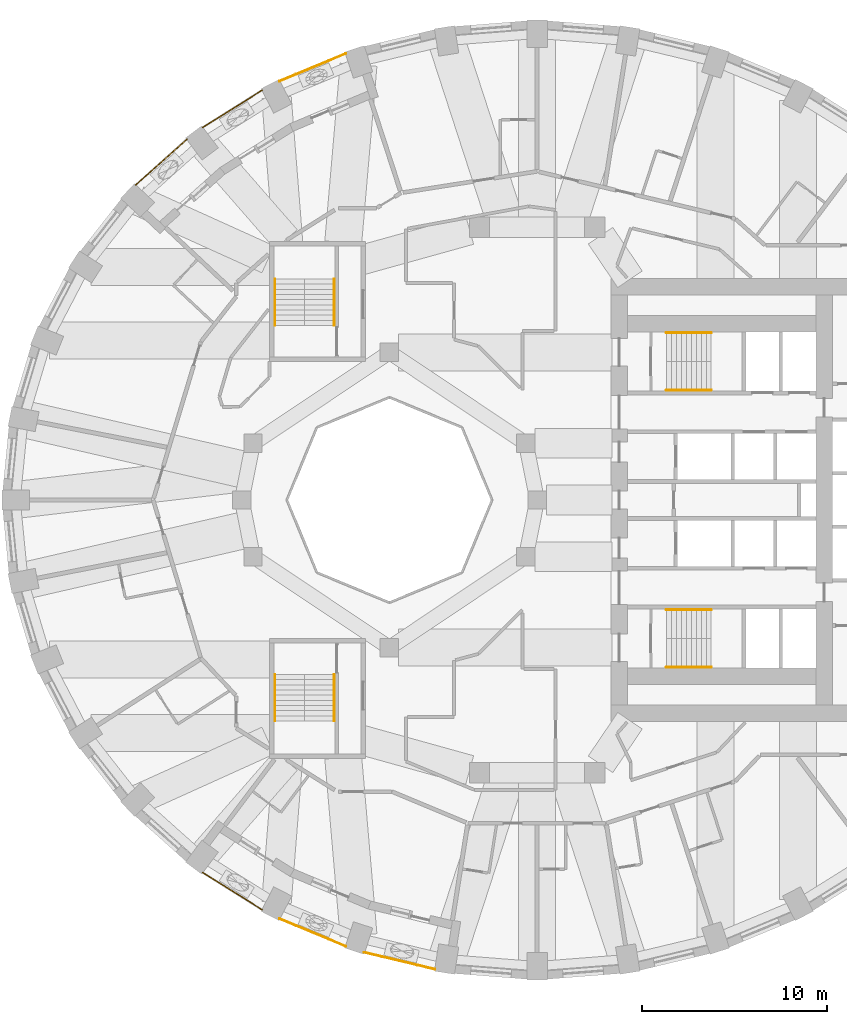
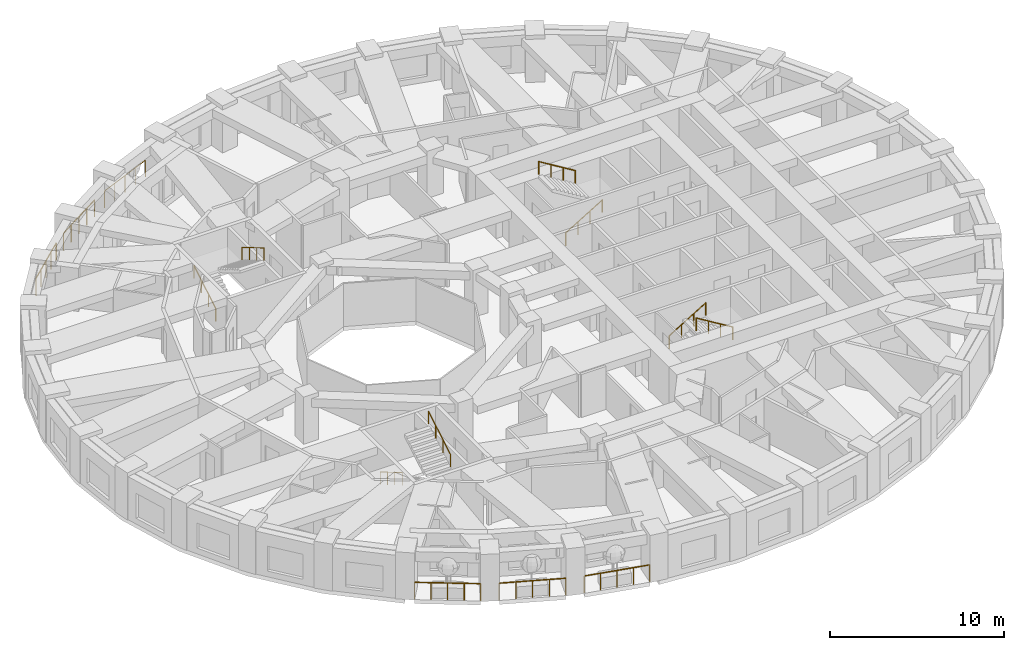
# One storey, part 11 of 13: 14 railings.
"""IFC4 building model written with IfcOpenShell, lengths in metres."""

from ifc_helpers import new_model, si_unit, direction, frame, origin, origin_2d, place, context, subcontext, project, spatial, circle, extrude, material, type_object, element, save


model = new_model("IFC4")

# Units and contexts
model_context = context("Model", 3, precision=1e-05, world=origin(), true_north=direction((0.0, 1.0)))
body_context = subcontext(model_context, "Body", "Model", "MODEL_VIEW")
ifc_project = project(units=[si_unit("LENGTHUNIT", "METRE"), si_unit("AREAUNIT", "SQUARE_METRE"), si_unit("VOLUMEUNIT", "CUBIC_METRE"), si_unit("PLANEANGLEUNIT", "RADIAN"), si_unit("MASSUNIT", "GRAM", prefix="KILO")], contexts=[model_context])

# Site, building, storey
site_placement = place(None, origin())
site = spatial("IfcSite", under=ifc_project, at=site_placement, CompositionType="ELEMENT")
building_placement = place(site_placement, origin())
building = spatial("IfcBuilding", under=site, at=building_placement, Name="Taillehof Tower", CompositionType="ELEMENT")
storey_placement = place(building_placement, frame((0.0, 0.0, 44.800048828125)))
storey = spatial("IfcBuildingStorey", under=building, at=storey_placement, Name="L11", CompositionType="ELEMENT", Elevation=44.800048828125)

# Railings
ifc_material_1 = material(Name="Stainless steel balustrade", Category="steel")
railing_type_1 = type_object("IfcRailingType", Name="Balcony guard 1200", PredefinedType="GUARDRAIL", material=ifc_material_1)
railing_1_placement = place(storey_placement, frame((-18.12255859375, -20.176025390625, 0.0)))
element("IfcRailing", 1, at=railing_1_placement, inside=storey, type_object=railing_type_1, Name="Balcony guard L11 bay 24", PredefinedType="GUARDRAIL", context=body_context, shape_type="SweptSolid", body=[
    extrude(circle(Radius=0.02392578125, at=origin_2d()), frame((0.0, 0.0, 1.17578125), z_axis=(0.847656150947, -0.530545992127, 0.0), x_axis=(0.530545992127, 0.847656150947, 0.0)), (0.0, 0.0, 1.0), 3.810302734375),
    extrude(circle(Radius=0.02099609375, at=origin_2d()), origin(), (0.0, 0.0, 1.0), 1.15185546875),
    extrude(circle(Radius=0.02099609375, at=origin_2d()), frame((0.807373046875, -0.50537109375, 0.0)), (0.0, 0.0, 1.0), 1.15185546875),
    extrude(circle(Radius=0.02099609375, at=origin_2d()), frame((1.61474609375, -1.0107421875, 0.0)), (0.0, 0.0, 1.0), 1.15185546875),
    extrude(circle(Radius=0.02099609375, at=origin_2d()), frame((2.42236328125, -1.51611328125, 0.0)), (0.0, 0.0, 1.0), 1.15185546875),
    extrude(circle(Radius=0.02099609375, at=origin_2d()), frame((3.229736328125, -2.021484375, 0.0)), (0.0, 0.0, 1.0), 1.15185546875),
])
railing_2_placement = place(storey_placement, frame((-13.951171875, -22.684326171875, 0.0)))
element("IfcRailing", 2, at=railing_2_placement, inside=storey, type_object=railing_type_1, Name="Balcony guard L11 bay 25", PredefinedType="GUARDRAIL", context=body_context, shape_type="SweptSolid", body=[
    extrude(circle(Radius=0.02392578125, at=origin_2d()), frame((0.0, 0.0, 1.17578125), z_axis=(0.923011806559, -0.384771627011, 0.0), x_axis=(0.384771627011, 0.923011806559, 0.0)), (0.0, 0.0, 1.0), 3.88330078125),
    extrude(circle(Radius=0.02099609375, at=origin_2d()), origin(), (0.0, 0.0, 1.0), 1.15185546875),
    extrude(circle(Radius=0.02099609375, at=origin_2d()), frame((0.89599609375, -0.37353515625, 0.0)), (0.0, 0.0, 1.0), 1.15185546875),
    extrude(circle(Radius=0.02099609375, at=origin_2d()), frame((1.7919921875, -0.7470703125, 0.0)), (0.0, 0.0, 1.0), 1.15185546875),
    extrude(circle(Radius=0.02099609375, at=origin_2d()), frame((2.688232421875, -1.12060546875, 0.0)), (0.0, 0.0, 1.0), 1.15185546875),
    extrude(circle(Radius=0.02099609375, at=origin_2d()), frame((3.584228515625, -1.494140625, 0.0)), (0.0, 0.0, 1.0), 1.15185546875),
])
railing_3_placement = place(storey_placement, frame((-9.35888671875, -24.5068359375, 0.0)))
element("IfcRailing", 3, at=railing_3_placement, inside=storey, type_object=railing_type_1, Name="Balcony guard L11 bay 26", PredefinedType="GUARDRAIL", context=body_context, shape_type="SweptSolid", body=[
    extrude(circle(Radius=0.02392578125, at=origin_2d()), frame((0.0, 0.0, 1.17578125), z_axis=(0.972495275648, -0.232922602687, 0.0), x_axis=(0.232922602687, 0.972495275648, 0.0)), (0.0, 0.0, 1.0), 3.93701171875),
    extrude(circle(Radius=0.02099609375, at=origin_2d()), origin(), (0.0, 0.0, 1.0), 1.15185546875),
    extrude(circle(Radius=0.02099609375, at=origin_2d()), frame((0.95703125, -0.229248046875, 0.0)), (0.0, 0.0, 1.0), 1.15185546875),
    extrude(circle(Radius=0.02099609375, at=origin_2d()), frame((1.914306640625, -0.45849609375, 0.0)), (0.0, 0.0, 1.0), 1.15185546875),
    extrude(circle(Radius=0.02099609375, at=origin_2d()), frame((2.87158203125, -0.687744140625, 0.0)), (0.0, 0.0, 1.0), 1.15185546875),
    extrude(circle(Radius=0.02099609375, at=origin_2d()), frame((3.82861328125, -0.9169921875, 0.0)), (0.0, 0.0, 1.0), 1.15185546875),
])
railing_4_placement = place(storey_placement, frame((-10.366943359375, 24.178466796875, 0.0)))
element("IfcRailing", 4, at=railing_4_placement, inside=storey, type_object=railing_type_1, Name="Balcony guard L11 bay 12", PredefinedType="GUARDRAIL", context=body_context, shape_type="SweptSolid", body=[
    extrude(circle(Radius=0.02392578125, at=origin_2d()), frame((0.0, 0.0, 1.17578125), z_axis=(-0.923011806559, -0.384771627011, 0.0), x_axis=(0.384771627011, -0.923011806559, 0.0)), (0.0, 0.0, 1.0), 3.88330078125),
    extrude(circle(Radius=0.02099609375, at=origin_2d()), origin(), (0.0, 0.0, 1.0), 1.15185546875),
    extrude(circle(Radius=0.02099609375, at=origin_2d()), frame((-0.89599609375, -0.37353515625, 0.0)), (0.0, 0.0, 1.0), 1.15185546875),
    extrude(circle(Radius=0.02099609375, at=origin_2d()), frame((-1.7919921875, -0.7470703125, 0.0)), (0.0, 0.0, 1.0), 1.15185546875),
    extrude(circle(Radius=0.02099609375, at=origin_2d()), frame((-2.688232421875, -1.12060546875, 0.0)), (0.0, 0.0, 1.0), 1.15185546875),
    extrude(circle(Radius=0.02099609375, at=origin_2d()), frame((-3.584228515625, -1.494140625, 0.0)), (0.0, 0.0, 1.0), 1.15185546875),
])
railing_5_placement = place(storey_placement, frame((-14.892822265625, 22.197509765625, 0.0)))
element("IfcRailing", 5, at=railing_5_placement, inside=storey, type_object=railing_type_1, Name="Balcony guard L11 bay 13", PredefinedType="GUARDRAIL", context=body_context, shape_type="SweptSolid", body=[
    extrude(circle(Radius=0.02392578125, at=origin_2d()), frame((0.0, 0.0, 1.17578125), z_axis=(-0.847656150947, -0.530545992127, 0.0), x_axis=(0.530545992127, -0.847656150947, 0.0)), (0.0, 0.0, 1.0), 3.810302734375),
    extrude(circle(Radius=0.02099609375, at=origin_2d()), origin(), (0.0, 0.0, 1.0), 1.15185546875),
    extrude(circle(Radius=0.02099609375, at=origin_2d()), frame((-0.807373046875, -0.50537109375, 0.0)), (0.0, 0.0, 1.0), 1.15185546875),
    extrude(circle(Radius=0.02099609375, at=origin_2d()), frame((-1.61474609375, -1.0107421875, 0.0)), (0.0, 0.0, 1.0), 1.15185546875),
    extrude(circle(Radius=0.02099609375, at=origin_2d()), frame((-2.42236328125, -1.51611328125, 0.0)), (0.0, 0.0, 1.0), 1.15185546875),
    extrude(circle(Radius=0.02099609375, at=origin_2d()), frame((-3.229736328125, -2.021484375, 0.0)), (0.0, 0.0, 1.0), 1.15185546875),
])
railing_6_placement = place(storey_placement, frame((-18.969970703125, 19.539306640625, 0.0)))
element("IfcRailing", 6, at=railing_6_placement, inside=storey, type_object=railing_type_1, Name="Balcony guard L11 bay 14", PredefinedType="GUARDRAIL", context=body_context, shape_type="SweptSolid", body=[
    extrude(circle(Radius=0.02392578125, at=origin_2d()), frame((0.0, 0.0, 1.17578125), z_axis=(-0.745548021299, -0.666451909696, 0.0), x_axis=(0.666451909696, -0.745548021299, 0.0)), (0.0, 0.0, 1.0), 3.7255859375),
    extrude(circle(Radius=0.02099609375, at=origin_2d()), origin(), (0.0, 0.0, 1.0), 1.15185546875),
    extrude(circle(Radius=0.02099609375, at=origin_2d()), frame((-0.6943359375, -0.62060546875, 0.0)), (0.0, 0.0, 1.0), 1.15185546875),
    extrude(circle(Radius=0.02099609375, at=origin_2d()), frame((-1.388671875, -1.241455078125, 0.0)), (0.0, 0.0, 1.0), 1.15185546875),
    extrude(circle(Radius=0.02099609375, at=origin_2d()), frame((-2.083251953125, -1.8623046875, 0.0)), (0.0, 0.0, 1.0), 1.15185546875),
    extrude(circle(Radius=0.02099609375, at=origin_2d()), frame((-2.777587890625, -2.48291015625, 0.0)), (0.0, 0.0, 1.0), 1.15185546875),
])
ifc_material_2 = material(Name="Stainless steel", Category="steel")
railing_type_2 = type_object("IfcRailingType", Name="Stair handrail 900", PredefinedType="HANDRAIL", material=ifc_material_2)
railing_7_placement = place(storey_placement, frame((7.0, 5.949951171875, 0.1650390625)))
element("IfcRailing", 7, at=railing_7_placement, inside=storey, type_object=railing_type_2, Name="Stair S1 handrail", PredefinedType="HANDRAIL", context=body_context, shape_type="SweptSolid", body=[
    extrude(circle(Radius=0.02392578125, at=origin_2d()), frame((0.0, 0.0, 0.8759765625), z_axis=(0.853296667938, 0.0, 0.521425734392), x_axis=(0.0, 1.0, 0.0)), (0.0, 0.0, 1.0), 2.84765625),
    extrude(circle(Radius=0.02099609375, at=origin_2d()), origin(), (0.0, 0.0, 1.0), 0.851806640625),
    extrude(circle(Radius=0.02099609375, at=origin_2d()), frame((0.81005859375, 0.0, 0.494873046875)), (0.0, 0.0, 1.0), 0.851806640625),
    extrude(circle(Radius=0.02099609375, at=origin_2d()), frame((1.619873046875, 0.0, 0.989990234375)), (0.0, 0.0, 1.0), 0.851806640625),
    extrude(circle(Radius=0.02099609375, at=origin_2d()), frame((2.429931640625, 0.0, 1.48486328125)), (0.0, 0.0, 1.0), 0.851806640625),
])
railing_8_placement = place(storey_placement, frame((9.429931640625, 9.050048828125, 1.81494140625)))
element("IfcRailing", 8, at=railing_8_placement, inside=storey, type_object=railing_type_2, Name="Stair S1 handrail", PredefinedType="HANDRAIL", context=body_context, shape_type="SweptSolid", body=[
    extrude(circle(Radius=0.02392578125, at=origin_2d()), frame((0.0, 0.0, 0.8759765625), z_axis=(-0.853258522278, 0.0, 0.521488153423), x_axis=(0.0, -1.0, 0.0)), (0.0, 0.0, 1.0), 2.847900390625),
    extrude(circle(Radius=0.02099609375, at=origin_2d()), origin(), (0.0, 0.0, 1.0), 0.851806640625),
    extrude(circle(Radius=0.02099609375, at=origin_2d()), frame((-0.81005859375, 0.0, 0.4951171875)), (0.0, 0.0, 1.0), 0.851806640625),
    extrude(circle(Radius=0.02099609375, at=origin_2d()), frame((-1.619873046875, 0.0, 0.989990234375)), (0.0, 0.0, 1.0), 0.851806640625),
    extrude(circle(Radius=0.02099609375, at=origin_2d()), frame((-2.429931640625, 0.0, 1.485107421875)), (0.0, 0.0, 1.0), 0.851806640625),
])
railing_9_placement = place(storey_placement, frame((7.0, -5.949951171875, 0.1650390625)))
element("IfcRailing", 9, at=railing_9_placement, inside=storey, type_object=railing_type_2, Name="Stair S2 handrail", PredefinedType="HANDRAIL", context=body_context, shape_type="SweptSolid", body=[
    extrude(circle(Radius=0.02392578125, at=origin_2d()), frame((0.0, 0.0, 0.8759765625), z_axis=(0.853296667938, 0.0, 0.521425734392), x_axis=(0.0, 1.0, 0.0)), (0.0, 0.0, 1.0), 2.84765625),
    extrude(circle(Radius=0.02099609375, at=origin_2d()), origin(), (0.0, 0.0, 1.0), 0.851806640625),
    extrude(circle(Radius=0.02099609375, at=origin_2d()), frame((0.81005859375, 0.0, 0.494873046875)), (0.0, 0.0, 1.0), 0.851806640625),
    extrude(circle(Radius=0.02099609375, at=origin_2d()), frame((1.619873046875, 0.0, 0.989990234375)), (0.0, 0.0, 1.0), 0.851806640625),
    extrude(circle(Radius=0.02099609375, at=origin_2d()), frame((2.429931640625, 0.0, 1.48486328125)), (0.0, 0.0, 1.0), 0.851806640625),
])
railing_10_placement = place(storey_placement, frame((9.429931640625, -9.050048828125, 1.81494140625)))
element("IfcRailing", 10, at=railing_10_placement, inside=storey, type_object=railing_type_2, Name="Stair S2 handrail", PredefinedType="HANDRAIL", context=body_context, shape_type="SweptSolid", body=[
    extrude(circle(Radius=0.02392578125, at=origin_2d()), frame((0.0, 0.0, 0.8759765625), z_axis=(-0.853258522278, 0.0, 0.521488153423), x_axis=(0.0, -1.0, 0.0)), (0.0, 0.0, 1.0), 2.847900390625),
    extrude(circle(Radius=0.02099609375, at=origin_2d()), origin(), (0.0, 0.0, 1.0), 0.851806640625),
    extrude(circle(Radius=0.02099609375, at=origin_2d()), frame((-0.81005859375, 0.0, 0.4951171875)), (0.0, 0.0, 1.0), 0.851806640625),
    extrude(circle(Radius=0.02099609375, at=origin_2d()), frame((-1.619873046875, 0.0, 0.989990234375)), (0.0, 0.0, 1.0), 0.851806640625),
    extrude(circle(Radius=0.02099609375, at=origin_2d()), frame((-2.429931640625, 0.0, 1.485107421875)), (0.0, 0.0, 1.0), 0.851806640625),
])
railing_11_placement = place(storey_placement, frame((-14.199951171875, 9.449951171875, 0.1650390625)))
element("IfcRailing", 11, at=railing_11_placement, inside=storey, type_object=railing_type_2, Name="Stair S3 handrail", PredefinedType="HANDRAIL", context=body_context, shape_type="SweptSolid", body=[
    extrude(circle(Radius=0.02392578125, at=origin_2d()), frame((0.0, 0.0, 0.8759765625), z_axis=(0.0, 0.861560626758, 0.507654692109), x_axis=(-1.0, 0.0, 0.0)), (0.0, 0.0, 1.0), 2.925048828125),
    extrude(circle(Radius=0.02099609375, at=origin_2d()), origin(), (0.0, 0.0, 1.0), 0.851806640625),
    extrude(circle(Radius=0.02099609375, at=origin_2d()), frame((0.0, 0.840087890625, 0.494873046875)), (0.0, 0.0, 1.0), 0.851806640625),
    extrude(circle(Radius=0.02099609375, at=origin_2d()), frame((0.0, 1.679931640625, 0.989990234375)), (0.0, 0.0, 1.0), 0.851806640625),
    extrude(circle(Radius=0.02099609375, at=origin_2d()), frame((0.0, 2.52001953125, 1.48486328125)), (0.0, 0.0, 1.0), 0.851806640625),
])
railing_12_placement = place(storey_placement, frame((-11.0, 11.969970703125, 1.81494140625)))
element("IfcRailing", 12, at=railing_12_placement, inside=storey, type_object=railing_type_2, Name="Stair S3 handrail", PredefinedType="HANDRAIL", context=body_context, shape_type="SweptSolid", body=[
    extrude(circle(Radius=0.02392578125, at=origin_2d()), frame((0.0, 0.0, 0.8759765625), z_axis=(0.0, -0.86152411907, 0.507716645641), x_axis=(1.0, 0.0, 0.0)), (0.0, 0.0, 1.0), 2.925048828125),
    extrude(circle(Radius=0.02099609375, at=origin_2d()), origin(), (0.0, 0.0, 1.0), 0.851806640625),
    extrude(circle(Radius=0.02099609375, at=origin_2d()), frame((0.0, -0.840087890625, 0.4951171875)), (0.0, 0.0, 1.0), 0.851806640625),
    extrude(circle(Radius=0.02099609375, at=origin_2d()), frame((0.0, -1.679931640625, 0.989990234375)), (0.0, 0.0, 1.0), 0.851806640625),
    extrude(circle(Radius=0.02099609375, at=origin_2d()), frame((0.0, -2.52001953125, 1.485107421875)), (0.0, 0.0, 1.0), 0.851806640625),
])
railing_13_placement = place(storey_placement, frame((-14.199951171875, -9.449951171875, 0.1650390625)))
element("IfcRailing", 13, at=railing_13_placement, inside=storey, type_object=railing_type_2, Name="Stair S4 handrail", PredefinedType="HANDRAIL", context=body_context, shape_type="SweptSolid", body=[
    extrude(circle(Radius=0.02392578125, at=origin_2d()), frame((0.0, 0.0, 0.8759765625), z_axis=(0.0, -0.861560626758, 0.507654692109), x_axis=(1.0, 0.0, 0.0)), (0.0, 0.0, 1.0), 2.925048828125),
    extrude(circle(Radius=0.02099609375, at=origin_2d()), origin(), (0.0, 0.0, 1.0), 0.851806640625),
    extrude(circle(Radius=0.02099609375, at=origin_2d()), frame((0.0, -0.840087890625, 0.494873046875)), (0.0, 0.0, 1.0), 0.851806640625),
    extrude(circle(Radius=0.02099609375, at=origin_2d()), frame((0.0, -1.679931640625, 0.989990234375)), (0.0, 0.0, 1.0), 0.851806640625),
    extrude(circle(Radius=0.02099609375, at=origin_2d()), frame((0.0, -2.52001953125, 1.48486328125)), (0.0, 0.0, 1.0), 0.851806640625),
])
railing_14_placement = place(storey_placement, frame((-11.0, -11.969970703125, 1.81494140625)))
element("IfcRailing", 14, at=railing_14_placement, inside=storey, type_object=railing_type_2, Name="Stair S4 handrail", PredefinedType="HANDRAIL", context=body_context, shape_type="SweptSolid", body=[
    extrude(circle(Radius=0.02392578125, at=origin_2d()), frame((0.0, 0.0, 0.8759765625), z_axis=(0.0, 0.86152411907, 0.507716645641), x_axis=(-1.0, 0.0, 0.0)), (0.0, 0.0, 1.0), 2.925048828125),
    extrude(circle(Radius=0.02099609375, at=origin_2d()), origin(), (0.0, 0.0, 1.0), 0.851806640625),
    extrude(circle(Radius=0.02099609375, at=origin_2d()), frame((0.0, 0.840087890625, 0.4951171875)), (0.0, 0.0, 1.0), 0.851806640625),
    extrude(circle(Radius=0.02099609375, at=origin_2d()), frame((0.0, 1.679931640625, 0.989990234375)), (0.0, 0.0, 1.0), 0.851806640625),
    extrude(circle(Radius=0.02099609375, at=origin_2d()), frame((0.0, 2.52001953125, 1.485107421875)), (0.0, 0.0, 1.0), 0.851806640625),
])

save(model, "model.ifc")
